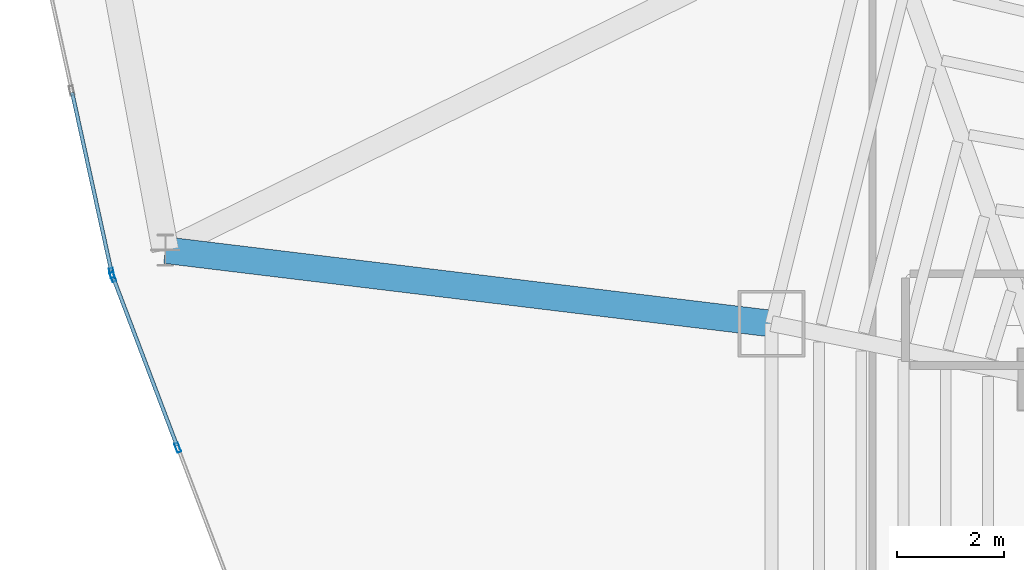
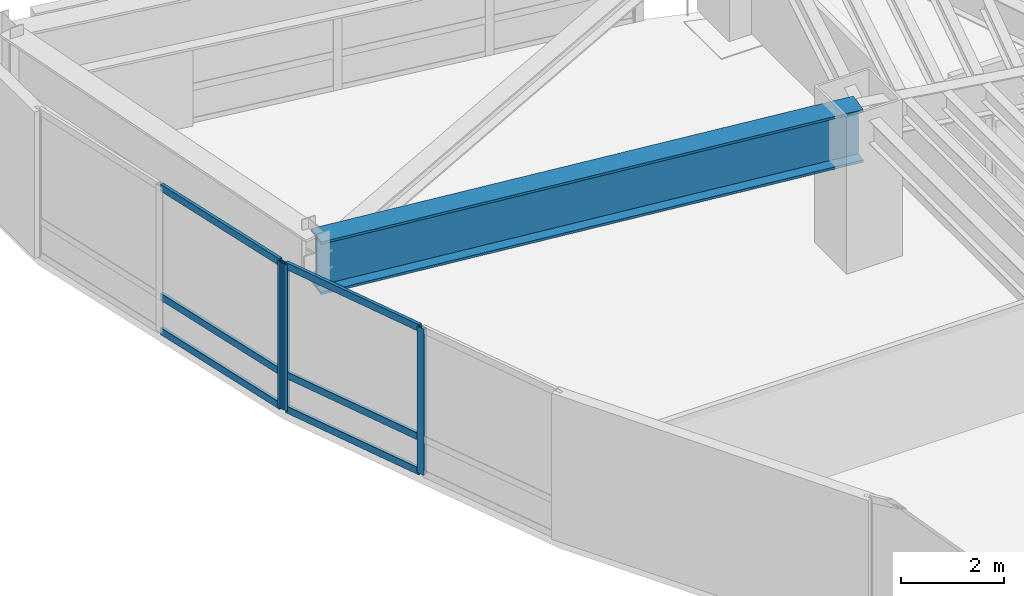
# One storey, part 8 of 23: 9 members, 1 beam, 2 elements without a shape of their own.
"""IFC4 building model written with IfcOpenShell, lengths in metres."""

import ifcopenshell
import ifcopenshell.guid

model = None  # the IFC model being written
_history = None  # IfcOwnerHistory: only IFC2X3 demands one
_inside = {}  # id of a spatial element -> (the spatial element, [elements in it])
_under = {}  # id of a project, library or spatial element -> (it, [spatial elements below it])
_declared = {}  # id of a project -> (the project, [libraries it declares])
_typed = {}  # id of a type object -> (the type object, [elements of that type])
_made_of = {}  # id of a material, layer set ... -> (it, [elements and type objects made of it])


def new_model(schema):
    """Start an empty IFC model of exactly this schema.

    Asked for "IFC4X3", IfcOpenShell would pick the latest addendum, in which some entities
    have other attributes; the version numbers below select the first issue.
    IFC2X3 requires an IfcOwnerHistory on every rooted entity: one is made here for all.
    """
    global model, _history
    if schema == "IFC4X3":
        model = ifcopenshell.file(schema_version=(4, 3, 0, 0))
    else:
        model = ifcopenshell.file(schema=schema)
    _inside.clear()
    _under.clear()
    _declared.clear()
    _typed.clear()
    _made_of.clear()
    _history = None
    if model.schema == "IFC2X3":
        org = make("IfcOrganization", Name="unknown")
        user = make(
            "IfcPersonAndOrganization",
            ThePerson=make("IfcPerson", FamilyName="unknown"),
            TheOrganization=org,
        )
        app = make(
            "IfcApplication",
            ApplicationDeveloper=org,
            Version="unknown",
            ApplicationFullName="unknown",
            ApplicationIdentifier="unknown",
        )
        _history = make(
            "IfcOwnerHistory",
            OwningUser=user,
            OwningApplication=app,
            ChangeAction="ADDED",
            CreationDate=0,
        )
    return model


def make(cls, **values):
    """One entity of the class cls with the attributes given. An attribute that is None is left unset."""
    return model.create_entity(
        cls, **{name: value for name, value in values.items() if value is not None}
    )


def rooted(cls, **values):
    """An entity with a GlobalId (a new one), such as an element, a storey or a relation."""
    return make(cls, GlobalId=ifcopenshell.guid.new(), OwnerHistory=_history, **values)


def si_unit(unit_type, name, prefix=None):
    """IfcSIUnit, for example si_unit("LENGTHUNIT", "METRE", prefix="MILLI")."""
    return make("IfcSIUnit", UnitType=unit_type, Prefix=prefix, Name=name)


def assignment(units):
    """IfcUnitAssignment: the units of a project."""
    return None if units is None else make("IfcUnitAssignment", Units=units)


def point(xyz):
    """IfcCartesianPoint."""
    return None if xyz is None else make("IfcCartesianPoint", Coordinates=xyz)


def direction(xyz):
    """IfcDirection."""
    return None if xyz is None else make("IfcDirection", DirectionRatios=xyz)


def frame(location, z_axis=None, x_axis=None):
    """IfcAxis2Placement3D, a coordinate frame: its origin and axes. An axis left out is left unset."""
    return make(
        "IfcAxis2Placement3D",
        Location=point(location),
        Axis=direction(z_axis),
        RefDirection=direction(x_axis),
    )


def frame_2d(location, x_axis=None):
    """IfcAxis2Placement2D, a coordinate frame in the plane: its origin and x axis."""
    return make(
        "IfcAxis2Placement2D", Location=point(location), RefDirection=direction(x_axis)
    )


def origin():
    """The frame at (0, 0, 0) with its axes left unset."""
    return frame((0.0, 0.0, 0.0))


def origin_2d():
    """The frame at (0, 0) in the plane with its x axis left unset."""
    return frame_2d((0.0, 0.0))


def place(relative_to, where):
    """IfcLocalPlacement: puts the frame where relative to a parent placement (None: the world)."""
    return make(
        "IfcLocalPlacement", PlacementRelTo=relative_to, RelativePlacement=where
    )


def context(
    kind, dimensions, precision=None, world=None, true_north=None, identifier=None
):
    """IfcGeometricRepresentationContext, for example the 3D "Model" context."""
    return make(
        "IfcGeometricRepresentationContext",
        ContextIdentifier=identifier,
        ContextType=kind,
        CoordinateSpaceDimension=dimensions,
        Precision=precision,
        WorldCoordinateSystem=world,
        TrueNorth=true_north,
    )


def subcontext(parent, identifier, kind, view, scale=None):
    """IfcGeometricRepresentationSubContext, for example "Body" below "Model"."""
    return make(
        "IfcGeometricRepresentationSubContext",
        ContextIdentifier=identifier,
        ContextType=kind,
        ParentContext=parent,
        TargetScale=scale,
        TargetView=view,
    )


def project(units=None, contexts=None):
    """IfcProject with its units and contexts."""
    return rooted(
        "IfcProject",
        Name="project",
        RepresentationContexts=contexts,
        UnitsInContext=assignment(units),
    )


def spatial(cls, under=None, at=None, **own):
    """A site, building, storey or space (cls), placed at a placement, below another one or the project."""
    s = rooted(cls, ObjectPlacement=at, **own)
    if under is not None:
        _under.setdefault(under.id(), (under, []))[1].append(s)
    return s


def profile(cls, at=None, kind="AREA", **sizes):
    """A parametric profile (cls). Its sizes go by their IFC names, for example OverallWidth=200.0."""
    return make(cls, ProfileType=kind, Position=at, **sizes)


def hollow_rectangle(**sizes):
    """IfcRectangleHollowProfileDef."""
    return profile("IfcRectangleHollowProfileDef", **sizes)


def i_section(**sizes):
    """IfcIShapeProfileDef."""
    return profile("IfcIShapeProfileDef", **sizes)


def extrude(swept, where, along, depth):
    """IfcExtrudedAreaSolid: the profile swept, set in the frame where, extruded along a direction by depth."""
    return make(
        "IfcExtrudedAreaSolid",
        SweptArea=swept,
        Position=where,
        ExtrudedDirection=direction(along),
        Depth=depth,
    )


def shape(context_of_items, identifier, shape_type, items):
    """IfcShapeRepresentation: the items that make up one representation, for example the "Body"."""
    return make(
        "IfcShapeRepresentation",
        ContextOfItems=context_of_items,
        RepresentationIdentifier=identifier,
        RepresentationType=shape_type,
        Items=items,
    )


def material(Name=None, Category=None):
    """IfcMaterial."""
    return make("IfcMaterial", Name=Name, Category=Category)


def layer(
    of_material, thickness, ventilated=None, Name=None, Category=None, Priority=None
):
    """IfcMaterialLayer: one layer of a wall or slab, of a material (None: an air gap)."""
    return make(
        "IfcMaterialLayer",
        Material=of_material,
        LayerThickness=thickness,
        IsVentilated=ventilated,
        Name=Name,
        Category=Category,
        Priority=Priority,
    )


def layer_set(layers, Name=None):
    """IfcMaterialLayerSet."""
    return make("IfcMaterialLayerSet", MaterialLayers=layers, LayerSetName=Name)


def material_profile(
    of_material, cross_section, Name=None, Category=None, Priority=None
):
    """IfcMaterialProfile: a cross section and its material."""
    return make(
        "IfcMaterialProfile",
        Name=Name,
        Material=of_material,
        Profile=cross_section,
        Priority=Priority,
        Category=Category,
    )


def profile_set(profiles, Name=None, composite=None):
    """IfcMaterialProfileSet."""
    return make(
        "IfcMaterialProfileSet",
        Name=Name,
        MaterialProfiles=profiles,
        CompositeProfile=composite,
    )


def made_of(thing, what):
    """Note that an element or type object is made of a material, layer set ...; save() writes the relation."""
    if what is not None:
        _made_of.setdefault(what.id(), (what, []))[1].append(thing)
    return thing


def type_object(cls, material=None, **own):
    """A type object (cls), such as IfcWallType, which elements share."""
    return made_of(rooted(cls, **own), material)


def element(
    cls,
    number,
    at=None,
    inside=None,
    cuts=None,
    type_object=None,
    material=None,
    context=None,
    identifier="Body",
    shape_type=None,
    held_by="IfcProductDefinitionShape",
    body=None,
    shapes=None,
    **own,
):
    """One element of the class cls, such as IfcWall. Its Tag is "e" and its number.

    at: its placement. inside: the storey or other place that contains it. cuts: it is an
    opening in that element (IfcRelVoidsElement). A single representation is given by context,
    identifier, shape_type and body (its items); several are given by shapes. held_by: the class
    of the entity that holds the representations. save() writes the other relations.
    """
    e = rooted(cls, Tag="e%d" % number, ObjectPlacement=at, **own)
    if body is not None:
        shapes = [shape(context, identifier, shape_type, body)]
    if shapes is not None:
        e.Representation = make(held_by, Representations=shapes)
    if inside is not None:
        _inside.setdefault(inside.id(), (inside, []))[1].append(e)
    if cuts is not None:
        rooted(
            "IfcRelVoidsElement", RelatingBuildingElement=cuts, RelatedOpeningElement=e
        )
    if type_object is not None:
        _typed.setdefault(type_object.id(), (type_object, []))[1].append(e)
    return made_of(e, material)


def aggregate(whole, parts):
    """IfcRelAggregates: a whole, such as a stair, and the parts it consists of."""
    return rooted("IfcRelAggregates", RelatingObject=whole, RelatedObjects=parts)


def save(model, path):
    """Write the relations noted so far, then the file.

    IfcRelAggregates (storeys below a building ...), IfcRelContainedInSpatialStructure (elements
    in a storey), IfcRelDefinesByType, IfcRelAssociatesMaterial and IfcRelDeclares: one each for
    every whole, place, type object, material and project.
    """
    for whole, parts in _under.values():
        aggregate(whole, parts)
    for where, things in _inside.values():
        rooted(
            "IfcRelContainedInSpatialStructure",
            RelatedElements=things,
            RelatingStructure=where,
        )
    for kind, things in _typed.values():
        rooted("IfcRelDefinesByType", RelatedObjects=things, RelatingType=kind)
    for what, things in _made_of.values():
        rooted("IfcRelAssociatesMaterial", RelatedObjects=things, RelatingMaterial=what)
    for by, libraries in _declared.values():
        rooted("IfcRelDeclares", RelatingContext=by, RelatedDefinitions=libraries)
    model.write(path)


model = new_model("IFC4")

# Units and contexts
model_context = context("Model", 3, precision=1e-05, world=origin(), true_north=direction((0.0, 1.0)))
body_context = subcontext(model_context, "Body", "Model", "MODEL_VIEW")
ifc_project = project(units=[si_unit("LENGTHUNIT", "METRE"), si_unit("AREAUNIT", "SQUARE_METRE"), si_unit("VOLUMEUNIT", "CUBIC_METRE"), si_unit("PLANEANGLEUNIT", "RADIAN"), si_unit("MASSUNIT", "GRAM", prefix="KILO")], contexts=[model_context])

# Site, building, storey
site_placement = place(None, origin())
site = spatial("IfcSite", under=ifc_project, at=site_placement, CompositionType="ELEMENT")
building_placement = place(site_placement, origin())
building = spatial("IfcBuilding", under=site, at=building_placement, Name="Menara Vayukalpa", CompositionType="ELEMENT")
storey_placement = place(building_placement, frame((0.0, 0.0, 111.419921875)))
storey = spatial("IfcBuildingStorey", under=building, at=storey_placement, Name="L27", CompositionType="ELEMENT", Elevation=111.419921875)

# Beam
ifc_material_1 = material(Name="Steel S460", Category="steel")
ifc_material_profile_1 = material_profile(ifc_material_1, i_section(OverallWidth=0.5, OverallDepth=1.25, WebThickness=0.028076171875, FlangeThickness=0.054931640625, at=origin_2d()), Name="WG 1250x500x28x55")
ifc_profile_set_1 = profile_set([ifc_material_profile_1], Name="Steel S460")
beam_type = type_object("IfcBeamType", Name="BM-TG2", PredefinedType="BEAM", material=ifc_profile_set_1)
beam_placement = place(storey_placement, frame((12.606689453125, 27.845703125, 2.844970703125), z_axis=(-0.992737332151, 0.120302075433, 0.0), x_axis=(-0.120302075433, -0.992737332151, 0.0)))
element("IfcBeam", 1, at=beam_placement, inside=storey, type_object=beam_type, Name="L27 SB2 Sky Bar Vierendeel Girder 05", PredefinedType="BEAM", context=body_context, shape_type="SweptSolid", body=[
    extrude(i_section(OverallWidth=0.5, OverallDepth=1.25, WebThickness=0.028076171875, FlangeThickness=0.054931640625, at=origin_2d()), origin(), (0.0, 0.0, 1.0), 11.449951171875),
])

# Curtain wall, member
ifc_material_2 = material(Name="Anodised Terracotta Aluminium Alloy 6063-T6", Category="masonry")
ifc_layer = layer(ifc_material_2, 0.179931640625)
ifc_layer_set = layer_set([ifc_layer], Name="Anodised Terracotta Aluminium Alloy 6063-T6")
curtain_wall_type = type_object("IfcCurtainWallType", Name="CW-CW4", PredefinedType="USERDEFINED", material=ifc_layer_set)
curtain_wall_1_placement = place(storey_placement, origin())
curtain_wall_1 = element("IfcCurtainWall", 2, at=curtain_wall_1_placement, inside=storey, type_object=curtain_wall_type, Name="L27 Sky Bar Cantilever Glazed Curtain Wall CW4 10", ObjectType="UNITISED", PredefinedType="USERDEFINED")
ifc_material_3 = material(Name="Anodised Terracotta Aluminium Alloy 6063-T6", Category="masonry")
ifc_material_profile_2 = material_profile(ifc_material_3, hollow_rectangle(XDim=0.074951171875, YDim=0.179931640625, WallThickness=0.00390625, at=origin_2d()), Name="ALU 75x180x4")
ifc_profile_set_2 = profile_set([ifc_material_profile_2], Name="Anodised Terracotta Aluminium Alloy 6063-T6")
member_type_1 = type_object("IfcMemberType", Name="CWM-CW4", PredefinedType="MULLION", material=ifc_profile_set_2)
member_1_placement = place(storey_placement, frame((0.2353515625, 28.793701171875, 0.0), z_axis=(0.0, 0.0, 1.0), x_axis=(0.976721757533, 0.214510159112, 0.0)))
member_1 = element("IfcMember", 3, at=member_1_placement, type_object=member_type_1, Name="CW4 mullion 3", PredefinedType="MULLION", context=body_context, shape_type="SweptSolid", body=[
    extrude(hollow_rectangle(XDim=0.074951171875, YDim=0.179931640625, WallThickness=0.00390625, at=origin_2d()), origin(), (0.0, 0.0, 1.0), 3.469970703125),
])

# Curtain wall, members
curtain_wall_2_placement = place(storey_placement, origin())
curtain_wall_2 = element("IfcCurtainWall", 4, at=curtain_wall_2_placement, inside=storey, type_object=curtain_wall_type, Name="L27 Sky Bar Cantilever Glazed Curtain Wall CW4 11", ObjectType="UNITISED", PredefinedType="USERDEFINED")
member_2_placement = place(storey_placement, frame((0.2568359375, 28.721923828125, 0.0), z_axis=(0.0, 0.0, 1.0), x_axis=(0.934964177732, 0.354742140657, 0.0)))
member_2 = element("IfcMember", 5, at=member_2_placement, type_object=member_type_1, Name="CW4 mullion 1", PredefinedType="MULLION", context=body_context, shape_type="SweptSolid", body=[
    extrude(hollow_rectangle(XDim=0.074951171875, YDim=0.179931640625, WallThickness=0.00390625, at=origin_2d()), origin(), (0.0, 0.0, 1.0), 3.469970703125),
])
member_3_placement = place(storey_placement, frame((1.47216796875, 25.518798828125, 0.0), z_axis=(0.0, 0.0, 1.0), x_axis=(0.934964177732, 0.354742140657, 0.0)))
member_3 = element("IfcMember", 6, at=member_3_placement, type_object=member_type_1, Name="CW4 mullion 2", PredefinedType="MULLION", context=body_context, shape_type="SweptSolid", body=[
    extrude(hollow_rectangle(XDim=0.074951171875, YDim=0.179931640625, WallThickness=0.00390625, at=origin_2d()), origin(), (0.0, 0.0, 1.0), 3.469970703125),
])

# Member
ifc_material_4 = material(Name="Anodised Terracotta Aluminium Alloy 6063-T6", Category="masonry")
ifc_material_profile_3 = material_profile(ifc_material_4, hollow_rectangle(XDim=0.070068359375, YDim=0.1650390625, WallThickness=0.00390625, at=origin_2d()), Name="ALU 70x165x4")
ifc_profile_set_3 = profile_set([ifc_material_profile_3], Name="Anodised Terracotta Aluminium Alloy 6063-T6")
member_type_2 = type_object("IfcMemberType", Name="CWT-CW4", PredefinedType="USERDEFINED", material=ifc_profile_set_3)
member_4_placement = place(storey_placement, frame((-0.5078125, 32.17822265625, 0.03515625), z_axis=(0.214463645248, -0.976731971867, 0.0), x_axis=(0.976731971867, 0.214463645248, 0.0)))
member_4 = element("IfcMember", 7, at=member_4_placement, type_object=member_type_2, Name="CW4 transom 2.1", ObjectType="TRANSOM", PredefinedType="USERDEFINED", context=body_context, shape_type="SweptSolid", body=[
    extrude(hollow_rectangle(XDim=0.070068359375, YDim=0.1650390625, WallThickness=0.00390625, at=origin_2d()), origin(), (0.0, 0.0, 1.0), 3.427734375),
])

member_5_placement = place(storey_placement, frame((-0.5078125, 32.17822265625, 0.85009765625), z_axis=(0.214463645248, -0.976731971867, 0.0), x_axis=(0.976731971867, 0.214463645248, 0.0)))
member_5 = element("IfcMember", 8, at=member_5_placement, type_object=member_type_2, Name="CW4 transom 2.2", ObjectType="TRANSOM", PredefinedType="USERDEFINED", context=body_context, shape_type="SweptSolid", body=[
    extrude(hollow_rectangle(XDim=0.070068359375, YDim=0.1650390625, WallThickness=0.00390625, at=origin_2d()), origin(), (0.0, 0.0, 1.0), 3.427734375),
])

member_6_placement = place(storey_placement, frame((-0.5078125, 32.17822265625, 3.43505859375), z_axis=(0.214463645248, -0.976731971867, 0.0), x_axis=(0.976731971867, 0.214463645248, 0.0)))
member_6 = element("IfcMember", 9, at=member_6_placement, type_object=member_type_2, Name="CW4 transom 2.3", ObjectType="TRANSOM", PredefinedType="USERDEFINED", context=body_context, shape_type="SweptSolid", body=[
    extrude(hollow_rectangle(XDim=0.070068359375, YDim=0.1650390625, WallThickness=0.00390625, at=origin_2d()), origin(), (0.0, 0.0, 1.0), 3.427734375),
])

aggregate(curtain_wall_1, [member_1, member_4, member_5, member_6])

member_7_placement = place(storey_placement, frame((0.27001953125, 28.68701171875, 0.03515625), z_axis=(0.354737691882, -0.934965865665, 0.0), x_axis=(0.934965865665, 0.354737691882, 0.0)))
member_7 = element("IfcMember", 10, at=member_7_placement, type_object=member_type_2, Name="CW4 transom 1.1", ObjectType="TRANSOM", PredefinedType="USERDEFINED", context=body_context, shape_type="SweptSolid", body=[
    extrude(hollow_rectangle(XDim=0.070068359375, YDim=0.1650390625, WallThickness=0.00390625, at=origin_2d()), origin(), (0.0, 0.0, 1.0), 3.35107421875),
])

member_8_placement = place(storey_placement, frame((0.27001953125, 28.68701171875, 0.85009765625), z_axis=(0.354737691882, -0.934965865665, 0.0), x_axis=(0.934965865665, 0.354737691882, 0.0)))
member_8 = element("IfcMember", 11, at=member_8_placement, type_object=member_type_2, Name="CW4 transom 1.2", ObjectType="TRANSOM", PredefinedType="USERDEFINED", context=body_context, shape_type="SweptSolid", body=[
    extrude(hollow_rectangle(XDim=0.070068359375, YDim=0.1650390625, WallThickness=0.00390625, at=origin_2d()), origin(), (0.0, 0.0, 1.0), 3.35107421875),
])

member_9_placement = place(storey_placement, frame((0.27001953125, 28.68701171875, 3.43505859375), z_axis=(0.354737691882, -0.934965865665, 0.0), x_axis=(0.934965865665, 0.354737691882, 0.0)))
member_9 = element("IfcMember", 12, at=member_9_placement, type_object=member_type_2, Name="CW4 transom 1.3", ObjectType="TRANSOM", PredefinedType="USERDEFINED", context=body_context, shape_type="SweptSolid", body=[
    extrude(hollow_rectangle(XDim=0.070068359375, YDim=0.1650390625, WallThickness=0.00390625, at=origin_2d()), origin(), (0.0, 0.0, 1.0), 3.35107421875),
])

aggregate(curtain_wall_2, [member_2, member_3, member_7, member_8, member_9])

save(model, "model.ifc")
